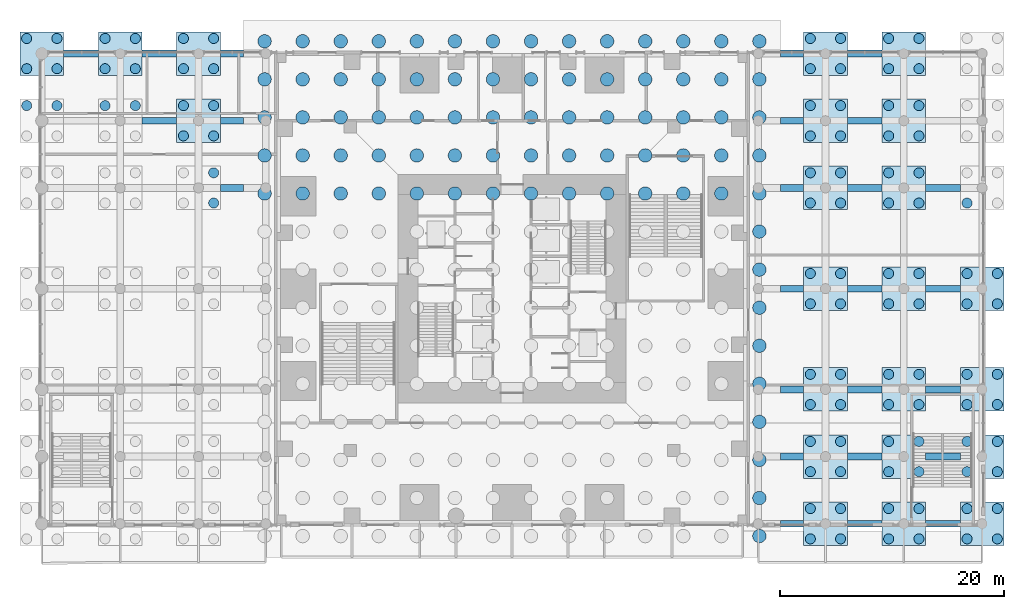
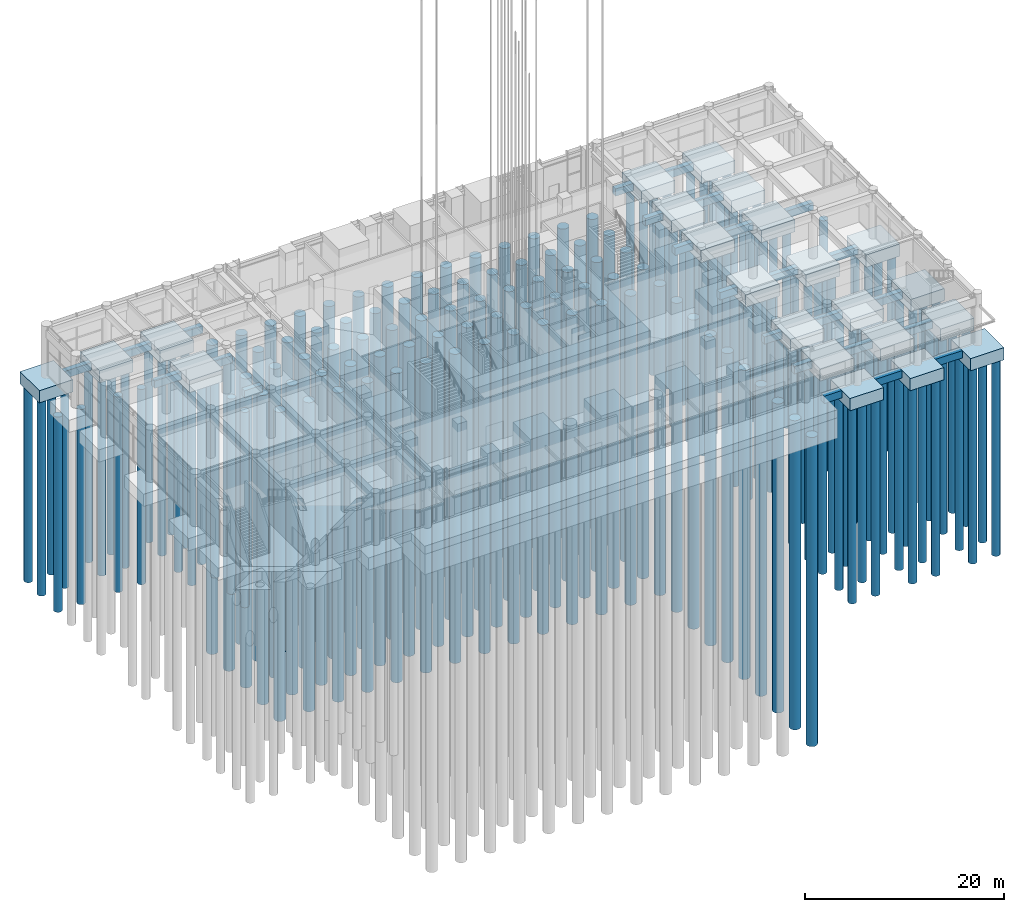
# One storey, part 2 of 46: 174 piles, 47 footings.
"""IFC4 building model written with IfcOpenShell, lengths in metres."""

from ifc_helpers import new_model, si_unit, direction, frame, frame_2d, origin, origin_2d, place, context, subcontext, project, spatial, rectangle, circle, extrude, material, material_profile, profile_set, type_object, element, save


model = new_model("IFC4")

# Units and contexts
model_context = context("Model", 3, precision=1e-05, world=origin(), true_north=direction((0.0, 1.0)))
body_context = subcontext(model_context, "Body", "Model", "MODEL_VIEW")
ifc_project = project(units=[si_unit("LENGTHUNIT", "METRE"), si_unit("AREAUNIT", "SQUARE_METRE"), si_unit("VOLUMEUNIT", "CUBIC_METRE"), si_unit("PLANEANGLEUNIT", "RADIAN"), si_unit("MASSUNIT", "GRAM", prefix="KILO")], contexts=[model_context])

# Site, building, storey
site_placement = place(None, origin())
site = spatial("IfcSite", under=ifc_project, at=site_placement, CompositionType="ELEMENT")
building_placement = place(site_placement, origin())
building = spatial("IfcBuilding", under=site, at=building_placement, Name="Svetlomir Tower", CompositionType="ELEMENT")
storey_placement = place(building_placement, origin())
storey = spatial("IfcBuildingStorey", under=building, at=storey_placement, Name="L00", CompositionType="ELEMENT", Elevation=0.0)

# Piles
ifc_material_1 = material(Name="Concrete C30/37", Category="concrete")
ifc_material_profile_1 = material_profile(ifc_material_1, circle(Radius=0.60009765625, at=origin_2d()), Name="D1200")
ifc_profile_set_1 = profile_set([ifc_material_profile_1], Name="Concrete C30/37")
pile_type_1 = type_object("IfcPileType", Name="BORED PILE D1200", PredefinedType="BORED", material=ifc_profile_set_1)
for number, where, z_axis, x_axis, name in (
    (1, (-1.10009765625, 29.5, -3.89990234375), (0.0, 0.0, -1.0), (1.0, 0.0, 0.0), "Raft pile R01-10"),
    (2, (-1.10009765625, 32.89990234375, -3.89990234375), (0.0, 0.0, -1.0), (1.0, 0.0, 0.0), "Raft pile R01-11"),
    (3, (-1.10009765625, 36.300048828125, -3.89990234375), (0.0, 0.0, -1.0), (1.0, 0.0, 0.0), "Raft pile R01-12"),
    (4, (-1.10009765625, 39.699951171875, -3.89990234375), (0.0, 0.0, -1.0), (1.0, 0.0, 0.0), "Raft pile R01-13"),
    (5, (-1.10009765625, 43.10009765625, -3.89990234375), (0.0, 0.0, -1.0), (1.0, 0.0, 0.0), "Raft pile R01-14"),
    (6, (2.300048828125, 29.5, -3.89990234375), (0.0, 0.0, -1.0), (1.0, 0.0, 0.0), "Raft pile R02-10"),
    (7, (2.300048828125, 32.89990234375, -3.89990234375), (0.0, 0.0, -1.0), (1.0, 0.0, 0.0), "Raft pile R02-11"),
    (8, (2.300048828125, 36.300048828125, -3.89990234375), (0.0, 0.0, -1.0), (1.0, 0.0, 0.0), "Raft pile R02-12"),
    (9, (2.300048828125, 39.699951171875, -3.89990234375), (0.0, 0.0, -1.0), (1.0, 0.0, 0.0), "Raft pile R02-13"),
    (10, (2.300048828125, 43.10009765625, -3.89990234375), (0.0, 0.0, -1.0), (1.0, 0.0, 0.0), "Raft pile R02-14"),
    (11, (5.699951171875, 29.5, -3.89990234375), (0.0, 0.0, -1.0), (1.0, 0.0, 0.0), "Raft pile R03-10"),
    (12, (5.699951171875, 32.89990234375, -3.89990234375), (0.0, 0.0, -1.0), (1.0, 0.0, 0.0), "Raft pile R03-11"),
    (13, (5.699951171875, 36.300048828125, -3.89990234375), (0.0, 0.0, -1.0), (1.0, 0.0, 0.0), "Raft pile R03-12"),
    (14, (5.699951171875, 39.699951171875, -3.89990234375), (0.0, 0.0, -1.0), (1.0, 0.0, 0.0), "Raft pile R03-13"),
    (15, (5.699951171875, 43.10009765625, -3.89990234375), (0.0, 0.0, -1.0), (1.0, 0.0, 0.0), "Raft pile R03-14"),
    (16, (9.10009765625, 29.5, -3.89990234375), (0.0, 0.0, -1.0), (1.0, 0.0, 0.0), "Raft pile R04-10"),
    (17, (9.10009765625, 32.89990234375, -3.89990234375), (0.0, 0.0, -1.0), (1.0, 0.0, 0.0), "Raft pile R04-11"),
    (18, (9.10009765625, 36.300048828125, -3.89990234375), (0.0, 0.0, -1.0), (1.0, 0.0, 0.0), "Raft pile R04-12"),
    (19, (9.10009765625, 39.699951171875, -3.89990234375), (0.0, 0.0, -1.0), (1.0, 0.0, 0.0), "Raft pile R04-13"),
    (20, (9.10009765625, 43.10009765625, -3.89990234375), (0.0, 0.0, -1.0), (1.0, 0.0, 0.0), "Raft pile R04-14"),
    (21, (12.5, 29.5, -3.89990234375), (0.0, 0.0, -1.0), (1.0, 0.0, 0.0), "Raft pile R05-10"),
    (22, (12.5, 32.89990234375, -3.89990234375), (0.0, 0.0, -1.0), (1.0, 0.0, 0.0), "Raft pile R05-11"),
    (23, (12.5, 36.300048828125, -3.89990234375), (0.0, 0.0, -1.0), (1.0, 0.0, 0.0), "Raft pile R05-12"),
    (24, (12.5, 39.699951171875, -3.89990234375), (0.0, 0.0, -1.0), (1.0, 0.0, 0.0), "Raft pile R05-13"),
    (25, (12.5, 43.10009765625, -3.89990234375), (0.0, 0.0, -1.0), (1.0, 0.0, 0.0), "Raft pile R05-14"),
    (26, (15.89990234375, 29.5, -3.89990234375), (0.0, 0.0, -1.0), (1.0, 0.0, 0.0), "Raft pile R06-10"),
    (27, (15.89990234375, 32.89990234375, -3.89990234375), (0.0, 0.0, -1.0), (1.0, 0.0, 0.0), "Raft pile R06-11"),
    (28, (15.89990234375, 36.300048828125, -3.89990234375), (0.0, 0.0, -1.0), (1.0, 0.0, 0.0), "Raft pile R06-12"),
    (29, (15.89990234375, 39.699951171875, -3.89990234375), (0.0, 0.0, -1.0), (1.0, 0.0, 0.0), "Raft pile R06-13"),
    (30, (15.89990234375, 43.10009765625, -3.89990234375), (0.0, 0.0, -1.0), (1.0, 0.0, 0.0), "Raft pile R06-14"),
    (31, (19.300048828125, 29.5, -3.89990234375), (0.0, 0.0, -1.0), (1.0, 0.0, 0.0), "Raft pile R07-10"),
    (32, (19.300048828125, 32.89990234375, -3.89990234375), (0.0, 0.0, -1.0), (1.0, 0.0, 0.0), "Raft pile R07-11"),
    (33, (19.300048828125, 36.300048828125, -3.89990234375), (0.0, 0.0, -1.0), (1.0, 0.0, 0.0), "Raft pile R07-12"),
    (34, (19.300048828125, 39.699951171875, -3.89990234375), (0.0, 0.0, -1.0), (1.0, 0.0, 0.0), "Raft pile R07-13"),
    (35, (19.300048828125, 43.10009765625, -3.89990234375), (0.0, 0.0, -1.0), (1.0, 0.0, 0.0), "Raft pile R07-14"),
    (36, (22.699951171875, 29.5, -3.89990234375), (0.0, 0.0, -1.0), (1.0, 0.0, 0.0), "Raft pile R08-10"),
    (37, (22.699951171875, 32.89990234375, -3.89990234375), (0.0, 0.0, -1.0), (1.0, 0.0, 0.0), "Raft pile R08-11"),
    (38, (22.699951171875, 36.300048828125, -3.89990234375), (0.0, 0.0, -1.0), (1.0, 0.0, 0.0), "Raft pile R08-12"),
    (39, (22.699951171875, 39.699951171875, -3.89990234375), (0.0, 0.0, -1.0), (1.0, 0.0, 0.0), "Raft pile R08-13"),
    (40, (22.699951171875, 43.10009765625, -3.89990234375), (0.0, 0.0, -1.0), (1.0, 0.0, 0.0), "Raft pile R08-14"),
    (41, (26.10009765625, 29.5, -3.89990234375), (0.0, 0.0, -1.0), (1.0, 0.0, 0.0), "Raft pile R09-10"),
    (42, (26.10009765625, 32.89990234375, -3.89990234375), (0.0, 0.0, -1.0), (1.0, 0.0, 0.0), "Raft pile R09-11"),
    (43, (26.10009765625, 36.300048828125, -3.89990234375), (0.0, 0.0, -1.0), (1.0, 0.0, 0.0), "Raft pile R09-12"),
    (44, (26.10009765625, 39.699951171875, -3.89990234375), (0.0, 0.0, -1.0), (1.0, 0.0, 0.0), "Raft pile R09-13"),
    (45, (26.10009765625, 43.10009765625, -3.89990234375), (0.0, 0.0, -1.0), (1.0, 0.0, 0.0), "Raft pile R09-14"),
    (46, (29.5, 29.5, -3.89990234375), (0.0, 0.0, -1.0), (1.0, 0.0, 0.0), "Raft pile R10-10"),
    (47, (29.5, 32.89990234375, -3.89990234375), (0.0, 0.0, -1.0), (1.0, 0.0, 0.0), "Raft pile R10-11"),
    (48, (29.5, 36.300048828125, -3.89990234375), (0.0, 0.0, -1.0), (1.0, 0.0, 0.0), "Raft pile R10-12"),
    (49, (29.5, 39.699951171875, -3.89990234375), (0.0, 0.0, -1.0), (1.0, 0.0, 0.0), "Raft pile R10-13"),
    (50, (29.5, 43.10009765625, -3.89990234375), (0.0, 0.0, -1.0), (1.0, 0.0, 0.0), "Raft pile R10-14"),
    (51, (32.89990234375, 29.5, -3.89990234375), (0.0, 0.0, -1.0), (1.0, 0.0, 0.0), "Raft pile R11-10"),
    (52, (32.89990234375, 32.89990234375, -3.89990234375), (0.0, 0.0, -1.0), (1.0, 0.0, 0.0), "Raft pile R11-11"),
    (53, (32.89990234375, 36.300048828125, -3.89990234375), (0.0, 0.0, -1.0), (1.0, 0.0, 0.0), "Raft pile R11-12"),
    (54, (32.89990234375, 39.699951171875, -3.89990234375), (0.0, 0.0, -1.0), (1.0, 0.0, 0.0), "Raft pile R11-13"),
    (55, (32.89990234375, 43.10009765625, -3.89990234375), (0.0, 0.0, -1.0), (1.0, 0.0, 0.0), "Raft pile R11-14"),
    (56, (36.300048828125, 29.5, -3.89990234375), (0.0, 0.0, -1.0), (1.0, 0.0, 0.0), "Raft pile R12-10"),
    (57, (36.300048828125, 32.89990234375, -3.89990234375), (0.0, 0.0, -1.0), (1.0, 0.0, 0.0), "Raft pile R12-11"),
    (58, (36.300048828125, 36.300048828125, -3.89990234375), (0.0, 0.0, -1.0), (1.0, 0.0, 0.0), "Raft pile R12-12"),
    (59, (36.300048828125, 39.699951171875, -3.89990234375), (0.0, 0.0, -1.0), (1.0, 0.0, 0.0), "Raft pile R12-13"),
    (60, (36.300048828125, 43.10009765625, -3.89990234375), (0.0, 0.0, -1.0), (1.0, 0.0, 0.0), "Raft pile R12-14"),
    (61, (39.699951171875, 29.5, -3.89990234375), (0.0, 0.0, -1.0), (1.0, 0.0, 0.0), "Raft pile R13-10"),
    (62, (39.699951171875, 32.89990234375, -3.89990234375), (0.0, 0.0, -1.0), (1.0, 0.0, 0.0), "Raft pile R13-11"),
    (63, (39.699951171875, 36.300048828125, -3.89990234375), (0.0, 0.0, -1.0), (1.0, 0.0, 0.0), "Raft pile R13-12"),
    (64, (39.699951171875, 39.699951171875, -3.89990234375), (0.0, 0.0, -1.0), (1.0, 0.0, 0.0), "Raft pile R13-13"),
    (65, (39.699951171875, 43.10009765625, -3.89990234375), (0.0, 0.0, -1.0), (1.0, 0.0, 0.0), "Raft pile R13-14"),
    (66, (43.10009765625, -1.10009765625, -3.89990234375), (0.0, 0.0, -1.0), (1.0, 0.0, 0.0), "Raft pile R14-01"),
    (67, (43.10009765625, 2.300048828125, -3.89990234375), (0.0, 0.0, -1.0), (1.0, 0.0, 0.0), "Raft pile R14-02"),
    (68, (43.10009765625, 5.699951171875, -3.89990234375), (0.0, 0.0, -1.0), (1.0, 0.0, 0.0), "Raft pile R14-03"),
    (69, (43.10009765625, 9.10009765625, -3.89990234375), (0.0, 0.0, -1.0), (1.0, 0.0, 0.0), "Raft pile R14-04"),
    (70, (43.10009765625, 12.5, -3.89990234375), (0.0, 0.0, -1.0), (1.0, 0.0, 0.0), "Raft pile R14-05"),
    (71, (43.10009765625, 15.89990234375, -3.89990234375), (0.0, 0.0, -1.0), (1.0, 0.0, 0.0), "Raft pile R14-06"),
    (72, (43.10009765625, 19.300048828125, -3.89990234375), (0.0, 0.0, -1.0), (1.0, 0.0, 0.0), "Raft pile R14-07"),
    (73, (43.10009765625, 22.699951171875, -3.89990234375), (0.0, 0.0, -1.0), (1.0, 0.0, 0.0), "Raft pile R14-08"),
    (74, (43.10009765625, 26.10009765625, -3.89990234375), (0.0, 0.0, -1.0), (1.0, 0.0, 0.0), "Raft pile R14-09"),
    (75, (43.10009765625, 29.5, -3.89990234375), (0.0, 0.0, -1.0), (1.0, 0.0, 0.0), "Raft pile R14-10"),
    (76, (43.10009765625, 32.89990234375, -3.89990234375), (0.0, 0.0, -1.0), (1.0, 0.0, 0.0), "Raft pile R14-11"),
    (77, (43.10009765625, 36.300048828125, -3.89990234375), (0.0, 0.0, -1.0), (1.0, 0.0, 0.0), "Raft pile R14-12"),
    (78, (43.10009765625, 39.699951171875, -3.89990234375), (0.0, 0.0, -1.0), (1.0, 0.0, 0.0), "Raft pile R14-13"),
    (79, (43.10009765625, 43.10009765625, -3.89990234375), (0.0, 0.0, -1.0), (1.0, 0.0, 0.0), "Raft pile R14-14"),
):
    element("IfcPile", number, at=place(storey_placement, frame(where, z_axis=z_axis, x_axis=x_axis)), inside=storey, type_object=pile_type_1, Name=name, PredefinedType="BORED", context=body_context, shape_type="SweptSolid", body=[
        extrude(circle(Radius=0.60009765625, at=frame_2d((0.0, 0.0), x_axis=(0.999847695156, 0.017452406437))), origin(), (0.0, 0.0, 1.0), 38.0),
    ])
ifc_material_2 = material(Name="Concrete C30/37", Category="concrete")
ifc_material_profile_2 = material_profile(ifc_material_2, circle(Radius=0.449951171875, at=origin_2d()), Name="RC D900")
ifc_profile_set_2 = profile_set([ifc_material_profile_2], Name="Concrete C30/37")
pile_type_2 = type_object("IfcPileType", Name="BORED PILE D900", PredefinedType="BORED", material=ifc_profile_set_2)
for number, where, z_axis, x_axis, name in (
    (80, (47.64990234375, -1.35009765625, -1.89990234375), (0.0, 0.0, -1.0), (1.0, 0.0, 0.0), "Cap pile 49/0-1"),
    (81, (50.35009765625, -1.35009765625, -1.89990234375), (0.0, 0.0, -1.0), (1.0, 0.0, 0.0), "Cap pile 49/0-2"),
    (82, (47.64990234375, 1.35009765625, -1.89990234375), (0.0, 0.0, -1.0), (1.0, 0.0, 0.0), "Cap pile 49/0-3"),
    (83, (50.35009765625, 1.35009765625, -1.89990234375), (0.0, 0.0, -1.0), (1.0, 0.0, 0.0), "Cap pile 49/0-4"),
    (84, (54.64990234375, -1.35009765625, -1.89990234375), (0.0, 0.0, -1.0), (1.0, 0.0, 0.0), "Cap pile 56/0-1"),
    (85, (57.35009765625, -1.35009765625, -1.89990234375), (0.0, 0.0, -1.0), (1.0, 0.0, 0.0), "Cap pile 56/0-2"),
    (86, (54.64990234375, 1.35009765625, -1.89990234375), (0.0, 0.0, -1.0), (1.0, 0.0, 0.0), "Cap pile 56/0-3"),
    (87, (57.35009765625, 1.35009765625, -1.89990234375), (0.0, 0.0, -1.0), (1.0, 0.0, 0.0), "Cap pile 56/0-4"),
    (88, (61.64990234375, -1.35009765625, -1.89990234375), (0.0, 0.0, -1.0), (1.0, 0.0, 0.0), "Cap pile 63/0-1"),
    (89, (64.35009765625, -1.35009765625, -1.89990234375), (0.0, 0.0, -1.0), (1.0, 0.0, 0.0), "Cap pile 63/0-2"),
    (90, (61.64990234375, 1.35009765625, -1.89990234375), (0.0, 0.0, -1.0), (1.0, 0.0, 0.0), "Cap pile 63/0-3"),
    (91, (64.35009765625, 1.35009765625, -1.89990234375), (0.0, 0.0, -1.0), (1.0, 0.0, 0.0), "Cap pile 63/0-4"),
    (92, (47.64990234375, 4.64990234375, -1.89990234375), (0.0, 0.0, -1.0), (1.0, 0.0, 0.0), "Cap pile 49/6-1"),
    (93, (50.35009765625, 4.64990234375, -1.89990234375), (0.0, 0.0, -1.0), (1.0, 0.0, 0.0), "Cap pile 49/6-2"),
    (94, (47.64990234375, 7.35009765625, -1.89990234375), (0.0, 0.0, -1.0), (1.0, 0.0, 0.0), "Cap pile 49/6-3"),
    (95, (50.35009765625, 7.35009765625, -1.89990234375), (0.0, 0.0, -1.0), (1.0, 0.0, 0.0), "Cap pile 49/6-4"),
    (96, (54.64990234375, 4.64990234375, -1.89990234375), (0.0, 0.0, -1.0), (1.0, 0.0, 0.0), "Cap pile 56/6-1"),
    (97, (57.35009765625, 4.64990234375, -1.89990234375), (0.0, 0.0, -1.0), (1.0, 0.0, 0.0), "Cap pile 56/6-2"),
    (98, (54.64990234375, 7.35009765625, -1.89990234375), (0.0, 0.0, -1.0), (1.0, 0.0, 0.0), "Cap pile 56/6-3"),
    (99, (57.35009765625, 7.35009765625, -1.89990234375), (0.0, 0.0, -1.0), (1.0, 0.0, 0.0), "Cap pile 56/6-4"),
    (100, (61.64990234375, 4.64990234375, -1.89990234375), (0.0, 0.0, -1.0), (1.0, 0.0, 0.0), "Cap pile 63/6-1"),
    (101, (64.35009765625, 4.64990234375, -1.89990234375), (0.0, 0.0, -1.0), (1.0, 0.0, 0.0), "Cap pile 63/6-2"),
    (102, (61.64990234375, 7.35009765625, -1.89990234375), (0.0, 0.0, -1.0), (1.0, 0.0, 0.0), "Cap pile 63/6-3"),
    (103, (64.35009765625, 7.35009765625, -1.89990234375), (0.0, 0.0, -1.0), (1.0, 0.0, 0.0), "Cap pile 63/6-4"),
    (104, (47.64990234375, 10.64990234375, -1.89990234375), (0.0, 0.0, -1.0), (1.0, 0.0, 0.0), "Cap pile 49/12-1"),
    (105, (50.35009765625, 10.64990234375, -1.89990234375), (0.0, 0.0, -1.0), (1.0, 0.0, 0.0), "Cap pile 49/12-2"),
    (106, (47.64990234375, 13.35009765625, -1.89990234375), (0.0, 0.0, -1.0), (1.0, 0.0, 0.0), "Cap pile 49/12-3"),
    (107, (50.35009765625, 13.35009765625, -1.89990234375), (0.0, 0.0, -1.0), (1.0, 0.0, 0.0), "Cap pile 49/12-4"),
    (108, (54.64990234375, 10.64990234375, -1.89990234375), (0.0, 0.0, -1.0), (1.0, 0.0, 0.0), "Cap pile 56/12-1"),
    (109, (57.35009765625, 10.64990234375, -1.89990234375), (0.0, 0.0, -1.0), (1.0, 0.0, 0.0), "Cap pile 56/12-2"),
    (110, (54.64990234375, 13.35009765625, -1.89990234375), (0.0, 0.0, -1.0), (1.0, 0.0, 0.0), "Cap pile 56/12-3"),
    (111, (57.35009765625, 13.35009765625, -1.89990234375), (0.0, 0.0, -1.0), (1.0, 0.0, 0.0), "Cap pile 56/12-4"),
    (112, (61.64990234375, 10.64990234375, -1.89990234375), (0.0, 0.0, -1.0), (1.0, 0.0, 0.0), "Cap pile 63/12-1"),
    (113, (64.35009765625, 10.64990234375, -1.89990234375), (0.0, 0.0, -1.0), (1.0, 0.0, 0.0), "Cap pile 63/12-2"),
    (114, (61.64990234375, 13.35009765625, -1.89990234375), (0.0, 0.0, -1.0), (1.0, 0.0, 0.0), "Cap pile 63/12-3"),
    (115, (64.35009765625, 13.35009765625, -1.89990234375), (0.0, 0.0, -1.0), (1.0, 0.0, 0.0), "Cap pile 63/12-4"),
    (116, (47.64990234375, 19.64990234375, -1.89990234375), (0.0, 0.0, -1.0), (1.0, 0.0, 0.0), "Cap pile 49/21-1"),
    (117, (50.35009765625, 19.64990234375, -1.89990234375), (0.0, 0.0, -1.0), (1.0, 0.0, 0.0), "Cap pile 49/21-2"),
    (118, (47.64990234375, 22.35009765625, -1.89990234375), (0.0, 0.0, -1.0), (1.0, 0.0, 0.0), "Cap pile 49/21-3"),
    (119, (50.35009765625, 22.35009765625, -1.89990234375), (0.0, 0.0, -1.0), (1.0, 0.0, 0.0), "Cap pile 49/21-4"),
    (120, (54.64990234375, 19.64990234375, -1.89990234375), (0.0, 0.0, -1.0), (1.0, 0.0, 0.0), "Cap pile 56/21-1"),
    (121, (57.35009765625, 19.64990234375, -1.89990234375), (0.0, 0.0, -1.0), (1.0, 0.0, 0.0), "Cap pile 56/21-2"),
    (122, (54.64990234375, 22.35009765625, -1.89990234375), (0.0, 0.0, -1.0), (1.0, 0.0, 0.0), "Cap pile 56/21-3"),
    (123, (57.35009765625, 22.35009765625, -1.89990234375), (0.0, 0.0, -1.0), (1.0, 0.0, 0.0), "Cap pile 56/21-4"),
    (124, (61.64990234375, 19.64990234375, -1.89990234375), (0.0, 0.0, -1.0), (1.0, 0.0, 0.0), "Cap pile 63/21-1"),
    (125, (64.35009765625, 19.64990234375, -1.89990234375), (0.0, 0.0, -1.0), (1.0, 0.0, 0.0), "Cap pile 63/21-2"),
    (126, (61.64990234375, 22.35009765625, -1.89990234375), (0.0, 0.0, -1.0), (1.0, 0.0, 0.0), "Cap pile 63/21-3"),
    (127, (64.35009765625, 22.35009765625, -1.89990234375), (0.0, 0.0, -1.0), (1.0, 0.0, 0.0), "Cap pile 63/21-4"),
    (128, (-5.64990234375, 28.64990234375, -1.89990234375), (0.0, 0.0, -1.0), (1.0, 0.0, 0.0), "Cap pile -7/30-2"),
    (129, (-5.64990234375, 31.35009765625, -1.89990234375), (0.0, 0.0, -1.0), (1.0, 0.0, 0.0), "Cap pile -7/30-4"),
    (130, (47.64990234375, 28.64990234375, -1.89990234375), (0.0, 0.0, -1.0), (1.0, 0.0, 0.0), "Cap pile 49/30-1"),
    (131, (50.35009765625, 28.64990234375, -1.89990234375), (0.0, 0.0, -1.0), (1.0, 0.0, 0.0), "Cap pile 49/30-2"),
    (132, (47.64990234375, 31.35009765625, -1.89990234375), (0.0, 0.0, -1.0), (1.0, 0.0, 0.0), "Cap pile 49/30-3"),
    (133, (50.35009765625, 31.35009765625, -1.89990234375), (0.0, 0.0, -1.0), (1.0, 0.0, 0.0), "Cap pile 49/30-4"),
    (134, (54.64990234375, 28.64990234375, -1.89990234375), (0.0, 0.0, -1.0), (1.0, 0.0, 0.0), "Cap pile 56/30-1"),
    (135, (57.35009765625, 28.64990234375, -1.89990234375), (0.0, 0.0, -1.0), (1.0, 0.0, 0.0), "Cap pile 56/30-2"),
    (136, (54.64990234375, 31.35009765625, -1.89990234375), (0.0, 0.0, -1.0), (1.0, 0.0, 0.0), "Cap pile 56/30-3"),
    (137, (57.35009765625, 31.35009765625, -1.89990234375), (0.0, 0.0, -1.0), (1.0, 0.0, 0.0), "Cap pile 56/30-4"),
    (138, (61.64990234375, 28.64990234375, -1.89990234375), (0.0, 0.0, -1.0), (1.0, 0.0, 0.0), "Cap pile 63/30-1"),
    (139, (-22.35009765625, 37.35009765625, -1.89990234375), (0.0, 0.0, -1.0), (1.0, 0.0, 0.0), "Cap pile -21/36-3"),
    (140, (-19.64990234375, 37.35009765625, -1.89990234375), (0.0, 0.0, -1.0), (1.0, 0.0, 0.0), "Cap pile -21/36-4"),
    (141, (-15.35009765625, 37.35009765625, -1.89990234375), (0.0, 0.0, -1.0), (1.0, 0.0, 0.0), "Cap pile -14/36-3"),
    (142, (-12.64990234375, 37.35009765625, -1.89990234375), (0.0, 0.0, -1.0), (1.0, 0.0, 0.0), "Cap pile -14/36-4"),
    (143, (-8.35009765625, 34.64990234375, -1.89990234375), (0.0, 0.0, -1.0), (1.0, 0.0, 0.0), "Cap pile -7/36-1"),
    (144, (-5.64990234375, 34.64990234375, -1.89990234375), (0.0, 0.0, -1.0), (1.0, 0.0, 0.0), "Cap pile -7/36-2"),
    (145, (-8.35009765625, 37.35009765625, -1.89990234375), (0.0, 0.0, -1.0), (1.0, 0.0, 0.0), "Cap pile -7/36-3"),
    (146, (-5.64990234375, 37.35009765625, -1.89990234375), (0.0, 0.0, -1.0), (1.0, 0.0, 0.0), "Cap pile -7/36-4"),
    (147, (47.64990234375, 34.64990234375, -1.89990234375), (0.0, 0.0, -1.0), (1.0, 0.0, 0.0), "Cap pile 49/36-1"),
    (148, (50.35009765625, 34.64990234375, -1.89990234375), (0.0, 0.0, -1.0), (1.0, 0.0, 0.0), "Cap pile 49/36-2"),
    (149, (47.64990234375, 37.35009765625, -1.89990234375), (0.0, 0.0, -1.0), (1.0, 0.0, 0.0), "Cap pile 49/36-3"),
    (150, (50.35009765625, 37.35009765625, -1.89990234375), (0.0, 0.0, -1.0), (1.0, 0.0, 0.0), "Cap pile 49/36-4"),
    (151, (54.64990234375, 34.64990234375, -1.89990234375), (0.0, 0.0, -1.0), (1.0, 0.0, 0.0), "Cap pile 56/36-1"),
    (152, (57.35009765625, 34.64990234375, -1.89990234375), (0.0, 0.0, -1.0), (1.0, 0.0, 0.0), "Cap pile 56/36-2"),
    (153, (54.64990234375, 37.35009765625, -1.89990234375), (0.0, 0.0, -1.0), (1.0, 0.0, 0.0), "Cap pile 56/36-3"),
    (154, (57.35009765625, 37.35009765625, -1.89990234375), (0.0, 0.0, -1.0), (1.0, 0.0, 0.0), "Cap pile 56/36-4"),
    (155, (-22.35009765625, 40.64990234375, -1.89990234375), (0.0, 0.0, -1.0), (1.0, 0.0, 0.0), "Cap pile -21/42-1"),
    (156, (-19.64990234375, 40.64990234375, -1.89990234375), (0.0, 0.0, -1.0), (1.0, 0.0, 0.0), "Cap pile -21/42-2"),
    (157, (-22.35009765625, 43.35009765625, -1.89990234375), (0.0, 0.0, -1.0), (1.0, 0.0, 0.0), "Cap pile -21/42-3"),
    (158, (-19.64990234375, 43.35009765625, -1.89990234375), (0.0, 0.0, -1.0), (1.0, 0.0, 0.0), "Cap pile -21/42-4"),
    (159, (-15.35009765625, 40.64990234375, -1.89990234375), (0.0, 0.0, -1.0), (1.0, 0.0, 0.0), "Cap pile -14/42-1"),
    (160, (-12.64990234375, 40.64990234375, -1.89990234375), (0.0, 0.0, -1.0), (1.0, 0.0, 0.0), "Cap pile -14/42-2"),
    (161, (-15.35009765625, 43.35009765625, -1.89990234375), (0.0, 0.0, -1.0), (1.0, 0.0, 0.0), "Cap pile -14/42-3"),
    (162, (-12.64990234375, 43.35009765625, -1.89990234375), (0.0, 0.0, -1.0), (1.0, 0.0, 0.0), "Cap pile -14/42-4"),
    (163, (-8.35009765625, 40.64990234375, -1.89990234375), (0.0, 0.0, -1.0), (1.0, 0.0, 0.0), "Cap pile -7/42-1"),
    (164, (-5.64990234375, 40.64990234375, -1.89990234375), (0.0, 0.0, -1.0), (1.0, 0.0, 0.0), "Cap pile -7/42-2"),
    (165, (-8.35009765625, 43.35009765625, -1.89990234375), (0.0, 0.0, -1.0), (1.0, 0.0, 0.0), "Cap pile -7/42-3"),
    (166, (-5.64990234375, 43.35009765625, -1.89990234375), (0.0, 0.0, -1.0), (1.0, 0.0, 0.0), "Cap pile -7/42-4"),
    (167, (47.64990234375, 40.64990234375, -1.89990234375), (0.0, 0.0, -1.0), (1.0, 0.0, 0.0), "Cap pile 49/42-1"),
    (168, (50.35009765625, 40.64990234375, -1.89990234375), (0.0, 0.0, -1.0), (1.0, 0.0, 0.0), "Cap pile 49/42-2"),
    (169, (47.64990234375, 43.35009765625, -1.89990234375), (0.0, 0.0, -1.0), (1.0, 0.0, 0.0), "Cap pile 49/42-3"),
    (170, (50.35009765625, 43.35009765625, -1.89990234375), (0.0, 0.0, -1.0), (1.0, 0.0, 0.0), "Cap pile 49/42-4"),
    (171, (54.64990234375, 40.64990234375, -1.89990234375), (0.0, 0.0, -1.0), (1.0, 0.0, 0.0), "Cap pile 56/42-1"),
    (172, (57.35009765625, 40.64990234375, -1.89990234375), (0.0, 0.0, -1.0), (1.0, 0.0, 0.0), "Cap pile 56/42-2"),
    (173, (54.64990234375, 43.35009765625, -1.89990234375), (0.0, 0.0, -1.0), (1.0, 0.0, 0.0), "Cap pile 56/42-3"),
    (174, (57.35009765625, 43.35009765625, -1.89990234375), (0.0, 0.0, -1.0), (1.0, 0.0, 0.0), "Cap pile 56/42-4"),
):
    element("IfcPile", number, at=place(storey_placement, frame(where, z_axis=z_axis, x_axis=x_axis)), inside=storey, type_object=pile_type_2, Name=name, PredefinedType="BORED", context=body_context, shape_type="SweptSolid", body=[
        extrude(circle(Radius=0.449951171875, at=frame_2d((0.0, 0.0), x_axis=(0.999847695156, 0.017452406437))), origin(), (0.0, 0.0, 1.0), 24.0),
    ])

# Footings
ifc_material_3 = material(Name="Concrete C35/45", Category="concrete")
footing_type_1 = type_object("IfcFootingType", Name="GROUND BEAM 600x900", PredefinedType="FOOTING_BEAM", material=ifc_material_3)
footing_1_placement = place(storey_placement, frame((46.02490234375, 0.0, -1.300048828125), z_axis=(0.0, 0.0, 1.0), x_axis=(1.0, 0.0, 0.0)))
element("IfcFooting", 175, at=footing_1_placement, inside=storey, type_object=footing_type_1, Name="Ground beam 45 to 47.05 on 0", PredefinedType="FOOTING_BEAM", context=body_context, shape_type="SweptSolid", body=[
    extrude(rectangle(XDim=2.050048828125, YDim=0.60009765625, at=origin_2d()), origin(), (0.0, 0.0, 1.0), 0.89990234375),
])
for number, where, z_axis, x_axis, name in (
    (176, (52.5, 0.0, -1.300048828125), (0.0, 0.0, 1.0), (1.0, 0.0, 0.0), "Ground beam 50.95 to 54.05 on 0"),
    (177, (59.5, 0.0, -1.300048828125), (0.0, 0.0, 1.0), (1.0, 0.0, 0.0), "Ground beam 57.95 to 61.05 on 0"),
):
    element("IfcFooting", number, at=place(storey_placement, frame(where, z_axis=z_axis, x_axis=x_axis)), inside=storey, type_object=footing_type_1, Name=name, PredefinedType="FOOTING_BEAM", context=body_context, shape_type="SweptSolid", body=[
        extrude(rectangle(XDim=3.10009765625, YDim=0.60009765625, at=origin_2d()), origin(), (0.0, 0.0, 1.0), 0.89990234375),
    ])
footing_2_placement = place(storey_placement, frame((46.02490234375, 6.0, -1.300048828125), z_axis=(0.0, 0.0, 1.0), x_axis=(1.0, 0.0, 0.0)))
element("IfcFooting", 178, at=footing_2_placement, inside=storey, type_object=footing_type_1, Name="Ground beam 45 to 47.05 on 6", PredefinedType="FOOTING_BEAM", context=body_context, shape_type="SweptSolid", body=[
    extrude(rectangle(XDim=2.050048828125, YDim=0.60009765625, at=origin_2d()), origin(), (0.0, 0.0, 1.0), 0.89990234375),
])
for number, where, z_axis, x_axis, name in (
    (179, (52.5, 6.0, -1.300048828125), (0.0, 0.0, 1.0), (1.0, 0.0, 0.0), "Ground beam 50.95 to 54.05 on 6"),
    (180, (59.5, 6.0, -1.300048828125), (0.0, 0.0, 1.0), (1.0, 0.0, 0.0), "Ground beam 57.95 to 61.05 on 6"),
):
    element("IfcFooting", number, at=place(storey_placement, frame(where, z_axis=z_axis, x_axis=x_axis)), inside=storey, type_object=footing_type_1, Name=name, PredefinedType="FOOTING_BEAM", context=body_context, shape_type="SweptSolid", body=[
        extrude(rectangle(XDim=3.10009765625, YDim=0.60009765625, at=origin_2d()), origin(), (0.0, 0.0, 1.0), 0.89990234375),
    ])
footing_3_placement = place(storey_placement, frame((46.02490234375, 12.0, -1.300048828125), z_axis=(0.0, 0.0, 1.0), x_axis=(1.0, 0.0, 0.0)))
element("IfcFooting", 181, at=footing_3_placement, inside=storey, type_object=footing_type_1, Name="Ground beam 45 to 47.05 on 12", PredefinedType="FOOTING_BEAM", context=body_context, shape_type="SweptSolid", body=[
    extrude(rectangle(XDim=2.050048828125, YDim=0.60009765625, at=origin_2d()), origin(), (0.0, 0.0, 1.0), 0.89990234375),
])
for number, where, z_axis, x_axis, name in (
    (182, (52.5, 12.0, -1.300048828125), (0.0, 0.0, 1.0), (1.0, 0.0, 0.0), "Ground beam 50.95 to 54.05 on 12"),
    (183, (59.5, 12.0, -1.300048828125), (0.0, 0.0, 1.0), (1.0, 0.0, 0.0), "Ground beam 57.95 to 61.05 on 12"),
):
    element("IfcFooting", number, at=place(storey_placement, frame(where, z_axis=z_axis, x_axis=x_axis)), inside=storey, type_object=footing_type_1, Name=name, PredefinedType="FOOTING_BEAM", context=body_context, shape_type="SweptSolid", body=[
        extrude(rectangle(XDim=3.10009765625, YDim=0.60009765625, at=origin_2d()), origin(), (0.0, 0.0, 1.0), 0.89990234375),
    ])
footing_4_placement = place(storey_placement, frame((46.02490234375, 21.0, -1.300048828125), z_axis=(0.0, 0.0, 1.0), x_axis=(1.0, 0.0, 0.0)))
element("IfcFooting", 184, at=footing_4_placement, inside=storey, type_object=footing_type_1, Name="Ground beam 45 to 47.05 on 21", PredefinedType="FOOTING_BEAM", context=body_context, shape_type="SweptSolid", body=[
    extrude(rectangle(XDim=2.050048828125, YDim=0.60009765625, at=origin_2d()), origin(), (0.0, 0.0, 1.0), 0.89990234375),
])
for number, where, z_axis, x_axis, name in (
    (185, (52.5, 21.0, -1.300048828125), (0.0, 0.0, 1.0), (1.0, 0.0, 0.0), "Ground beam 50.95 to 54.05 on 21"),
    (186, (59.5, 21.0, -1.300048828125), (0.0, 0.0, 1.0), (1.0, 0.0, 0.0), "Ground beam 57.95 to 61.05 on 21"),
):
    element("IfcFooting", number, at=place(storey_placement, frame(where, z_axis=z_axis, x_axis=x_axis)), inside=storey, type_object=footing_type_1, Name=name, PredefinedType="FOOTING_BEAM", context=body_context, shape_type="SweptSolid", body=[
        extrude(rectangle(XDim=3.10009765625, YDim=0.60009765625, at=origin_2d()), origin(), (0.0, 0.0, 1.0), 0.89990234375),
    ])
for number, where, z_axis, x_axis, name in (
    (187, (-4.02490234375, 30.0, -1.300048828125), (0.0, 0.0, 1.0), (1.0, 0.0, 0.0), "Ground beam -5.05 to -3 on 30"),
    (188, (46.02490234375, 30.0, -1.300048828125), (0.0, 0.0, 1.0), (1.0, 0.0, 0.0), "Ground beam 45 to 47.05 on 30"),
):
    element("IfcFooting", number, at=place(storey_placement, frame(where, z_axis=z_axis, x_axis=x_axis)), inside=storey, type_object=footing_type_1, Name=name, PredefinedType="FOOTING_BEAM", context=body_context, shape_type="SweptSolid", body=[
        extrude(rectangle(XDim=2.050048828125, YDim=0.60009765625, at=origin_2d()), origin(), (0.0, 0.0, 1.0), 0.89990234375),
    ])
for number, where, z_axis, x_axis, name in (
    (189, (52.5, 30.0, -1.300048828125), (0.0, 0.0, 1.0), (1.0, 0.0, 0.0), "Ground beam 50.95 to 54.05 on 30"),
    (190, (59.5, 30.0, -1.300048828125), (0.0, 0.0, 1.0), (1.0, 0.0, 0.0), "Ground beam 57.95 to 61.05 on 30"),
    (191, (-10.5, 36.0, -1.300048828125), (0.0, 0.0, 1.0), (1.0, 0.0, 0.0), "Ground beam -12.05 to -8.95 on 36"),
):
    element("IfcFooting", number, at=place(storey_placement, frame(where, z_axis=z_axis, x_axis=x_axis)), inside=storey, type_object=footing_type_1, Name=name, PredefinedType="FOOTING_BEAM", context=body_context, shape_type="SweptSolid", body=[
        extrude(rectangle(XDim=3.10009765625, YDim=0.60009765625, at=origin_2d()), origin(), (0.0, 0.0, 1.0), 0.89990234375),
    ])
for number, where, z_axis, x_axis, name in (
    (192, (-4.02490234375, 36.0, -1.300048828125), (0.0, 0.0, 1.0), (1.0, 0.0, 0.0), "Ground beam -5.05 to -3 on 36"),
    (193, (46.02490234375, 36.0, -1.300048828125), (0.0, 0.0, 1.0), (1.0, 0.0, 0.0), "Ground beam 45 to 47.05 on 36"),
):
    element("IfcFooting", number, at=place(storey_placement, frame(where, z_axis=z_axis, x_axis=x_axis)), inside=storey, type_object=footing_type_1, Name=name, PredefinedType="FOOTING_BEAM", context=body_context, shape_type="SweptSolid", body=[
        extrude(rectangle(XDim=2.050048828125, YDim=0.60009765625, at=origin_2d()), origin(), (0.0, 0.0, 1.0), 0.89990234375),
    ])
for number, where, z_axis, x_axis, name in (
    (194, (52.5, 36.0, -1.300048828125), (0.0, 0.0, 1.0), (1.0, 0.0, 0.0), "Ground beam 50.95 to 54.05 on 36"),
    (195, (-17.5, 42.0, -1.300048828125), (0.0, 0.0, 1.0), (1.0, 0.0, 0.0), "Ground beam -19.05 to -15.95 on 42"),
    (196, (-10.5, 42.0, -1.300048828125), (0.0, 0.0, 1.0), (1.0, 0.0, 0.0), "Ground beam -12.05 to -8.95 on 42"),
):
    element("IfcFooting", number, at=place(storey_placement, frame(where, z_axis=z_axis, x_axis=x_axis)), inside=storey, type_object=footing_type_1, Name=name, PredefinedType="FOOTING_BEAM", context=body_context, shape_type="SweptSolid", body=[
        extrude(rectangle(XDim=3.10009765625, YDim=0.60009765625, at=origin_2d()), origin(), (0.0, 0.0, 1.0), 0.89990234375),
    ])
for number, where, z_axis, x_axis, name in (
    (197, (-4.02490234375, 42.0, -1.300048828125), (0.0, 0.0, 1.0), (1.0, 0.0, 0.0), "Ground beam -5.05 to -3 on 42"),
    (198, (46.02490234375, 42.0, -1.300048828125), (0.0, 0.0, 1.0), (1.0, 0.0, 0.0), "Ground beam 45 to 47.05 on 42"),
):
    element("IfcFooting", number, at=place(storey_placement, frame(where, z_axis=z_axis, x_axis=x_axis)), inside=storey, type_object=footing_type_1, Name=name, PredefinedType="FOOTING_BEAM", context=body_context, shape_type="SweptSolid", body=[
        extrude(rectangle(XDim=2.050048828125, YDim=0.60009765625, at=origin_2d()), origin(), (0.0, 0.0, 1.0), 0.89990234375),
    ])
footing_5_placement = place(storey_placement, frame((52.5, 42.0, -1.300048828125), z_axis=(0.0, 0.0, 1.0), x_axis=(1.0, 0.0, 0.0)))
element("IfcFooting", 199, at=footing_5_placement, inside=storey, type_object=footing_type_1, Name="Ground beam 50.95 to 54.05 on 42", PredefinedType="FOOTING_BEAM", context=body_context, shape_type="SweptSolid", body=[
    extrude(rectangle(XDim=3.10009765625, YDim=0.60009765625, at=origin_2d()), origin(), (0.0, 0.0, 1.0), 0.89990234375),
])
ifc_material_4 = material(Name="Concrete C35/45", Category="concrete")
footing_type_2 = type_object("IfcFootingType", Name="PILE CAP 3900x3900x1500", PredefinedType="PILE_CAP", material=ifc_material_4)
for number, where, z_axis, x_axis, name in (
    (200, (49.0, 0.0, -1.89990234375), (0.0, 0.0, 1.0), (1.0, 0.0, 0.0), "Pile cap 49/0"),
    (201, (56.0, 0.0, -1.89990234375), (0.0, 0.0, 1.0), (1.0, 0.0, 0.0), "Pile cap 56/0"),
    (202, (63.0, 0.0, -1.89990234375), (0.0, 0.0, 1.0), (1.0, 0.0, 0.0), "Pile cap 63/0"),
    (203, (49.0, 6.0, -1.89990234375), (0.0, 0.0, 1.0), (1.0, 0.0, 0.0), "Pile cap 49/6"),
    (204, (56.0, 6.0, -1.89990234375), (0.0, 0.0, 1.0), (1.0, 0.0, 0.0), "Pile cap 56/6"),
    (205, (63.0, 6.0, -1.89990234375), (0.0, 0.0, 1.0), (1.0, 0.0, 0.0), "Pile cap 63/6"),
    (206, (49.0, 12.0, -1.89990234375), (0.0, 0.0, 1.0), (1.0, 0.0, 0.0), "Pile cap 49/12"),
    (207, (56.0, 12.0, -1.89990234375), (0.0, 0.0, 1.0), (1.0, 0.0, 0.0), "Pile cap 56/12"),
    (208, (63.0, 12.0, -1.89990234375), (0.0, 0.0, 1.0), (1.0, 0.0, 0.0), "Pile cap 63/12"),
    (209, (49.0, 21.0, -1.89990234375), (0.0, 0.0, 1.0), (1.0, 0.0, 0.0), "Pile cap 49/21"),
    (210, (56.0, 21.0, -1.89990234375), (0.0, 0.0, 1.0), (1.0, 0.0, 0.0), "Pile cap 56/21"),
    (211, (63.0, 21.0, -1.89990234375), (0.0, 0.0, 1.0), (1.0, 0.0, 0.0), "Pile cap 63/21"),
    (212, (49.0, 30.0, -1.89990234375), (0.0, 0.0, 1.0), (1.0, 0.0, 0.0), "Pile cap 49/30"),
    (213, (56.0, 30.0, -1.89990234375), (0.0, 0.0, 1.0), (1.0, 0.0, 0.0), "Pile cap 56/30"),
    (214, (-7.0, 36.0, -1.89990234375), (0.0, 0.0, 1.0), (1.0, 0.0, 0.0), "Pile cap -7/36"),
    (215, (49.0, 36.0, -1.89990234375), (0.0, 0.0, 1.0), (1.0, 0.0, 0.0), "Pile cap 49/36"),
    (216, (56.0, 36.0, -1.89990234375), (0.0, 0.0, 1.0), (1.0, 0.0, 0.0), "Pile cap 56/36"),
    (217, (-21.0, 42.0, -1.89990234375), (0.0, 0.0, 1.0), (1.0, 0.0, 0.0), "Pile cap -21/42"),
    (218, (-14.0, 42.0, -1.89990234375), (0.0, 0.0, 1.0), (1.0, 0.0, 0.0), "Pile cap -14/42"),
    (219, (-7.0, 42.0, -1.89990234375), (0.0, 0.0, 1.0), (1.0, 0.0, 0.0), "Pile cap -7/42"),
    (220, (49.0, 42.0, -1.89990234375), (0.0, 0.0, 1.0), (1.0, 0.0, 0.0), "Pile cap 49/42"),
    (221, (56.0, 42.0, -1.89990234375), (0.0, 0.0, 1.0), (1.0, 0.0, 0.0), "Pile cap 56/42"),
):
    element("IfcFooting", number, at=place(storey_placement, frame(where, z_axis=z_axis, x_axis=x_axis)), inside=storey, type_object=footing_type_2, Name=name, PredefinedType="PILE_CAP", context=body_context, shape_type="SweptSolid", body=[
        extrude(rectangle(XDim=3.89990234375, YDim=3.89990234375, at=origin_2d()), origin(), (0.0, 0.0, 1.0), 1.5),
    ])

save(model, "model.ifc")
